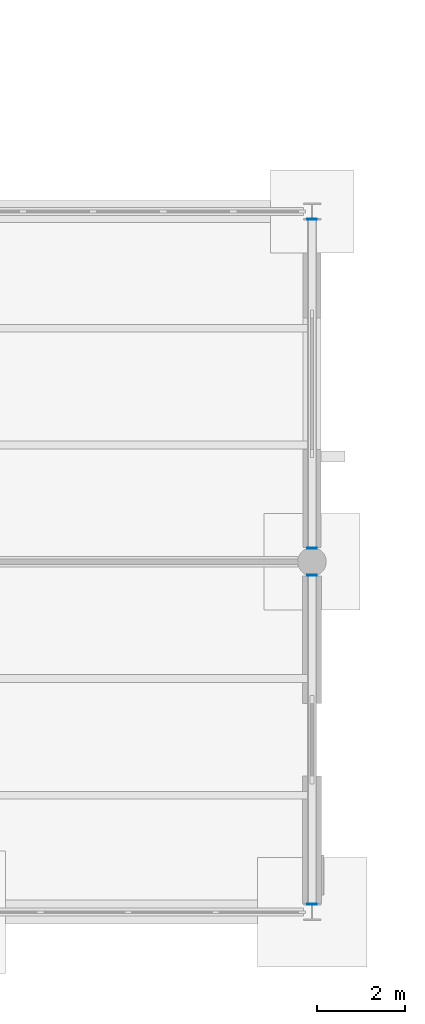
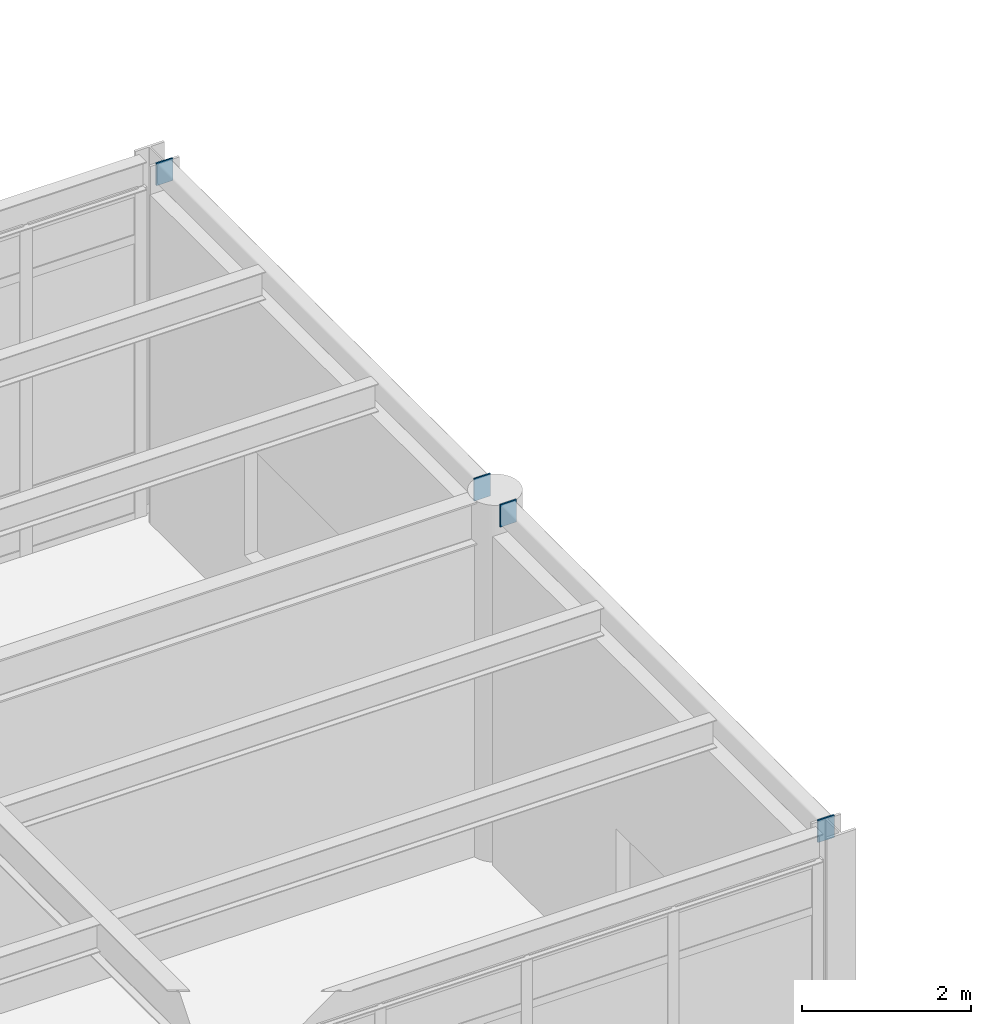
# One storey, part 116 of 138: 4 discrete accessories.
"""IFC4 building model written with IfcOpenShell, lengths in metres."""

from ifc_helpers import new_model, si_unit, direction, frame, origin, origin_2d, place, context, subcontext, project, spatial, rectangle, extrude, material, layer, layer_set, type_object, element, save


model = new_model("IFC4")

# Units and contexts
model_context = context("Model", 3, precision=1e-05, world=origin(), true_north=direction((0.0, 1.0)))
body_context = subcontext(model_context, "Body", "Model", "MODEL_VIEW")
ifc_project = project(units=[si_unit("LENGTHUNIT", "METRE"), si_unit("AREAUNIT", "SQUARE_METRE"), si_unit("VOLUMEUNIT", "CUBIC_METRE"), si_unit("PLANEANGLEUNIT", "RADIAN"), si_unit("MASSUNIT", "GRAM", prefix="KILO")], contexts=[model_context])

# Site, building, storey
site_placement = place(None, origin())
site = spatial("IfcSite", under=ifc_project, at=site_placement, CompositionType="ELEMENT")
building_placement = place(site_placement, origin())
building = spatial("IfcBuilding", under=site, at=building_placement, Name="Kranzveld Transit Interchange", CompositionType="ELEMENT")
storey_placement = place(building_placement, origin())
storey = spatial("IfcBuildingStorey", under=building, at=storey_placement, Name="L00", CompositionType="ELEMENT", Elevation=0.0)

# Discrete accessories
ifc_material = material(Name="Steel S355JR", Category="steel")
ifc_layer = layer(ifc_material, 0.02001953125)
ifc_layer_set = layer_set([ifc_layer], Name="Steel S355JR")
discrete_accessory_type = type_object("IfcDiscreteAccessoryType", Name="Hollow Section End Cap Bracket 20 S355JR", PredefinedType="BRACKET", material=ifc_layer_set)
for number, where, z_axis, x_axis, name in (
    (1, (168.0, 0.19091796875, 5.0), (0.0, -1.0, 0.0), (1.0, 0.0, 0.0), "Hollow Section End Cap SP-RHS300-1"),
    (2, (168.0, 7.680908203125, 5.0), (0.0, 1.0, 0.0), (-1.0, 0.0, 0.0), "Hollow Section End Cap SP-RHS300-2"),
    (3, (168.0, 8.319091796875, 5.0), (0.0, -1.0, 0.0), (1.0, 0.0, 0.0), "Hollow Section End Cap SP-RHS300-1"),
    (4, (168.0, 15.80908203125, 5.0), (0.0, 1.0, 0.0), (-1.0, 0.0, 0.0), "Hollow Section End Cap SP-RHS300-2"),
):
    element("IfcDiscreteAccessory", number, at=place(storey_placement, frame(where, z_axis=z_axis, x_axis=x_axis)), inside=storey, type_object=discrete_accessory_type, Name=name, PredefinedType="BRACKET", context=body_context, shape_type="SweptSolid", body=[
        extrude(rectangle(XDim=0.22412109375, YDim=0.323974609375, at=origin_2d()), origin(), (0.0, 0.0, 1.0), 0.02001953125),
    ])

save(model, "model.ifc")
